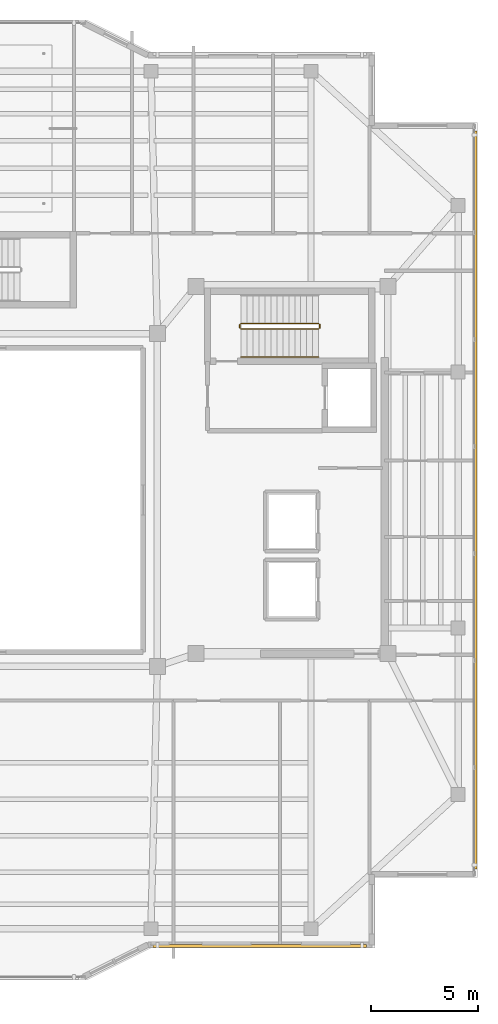
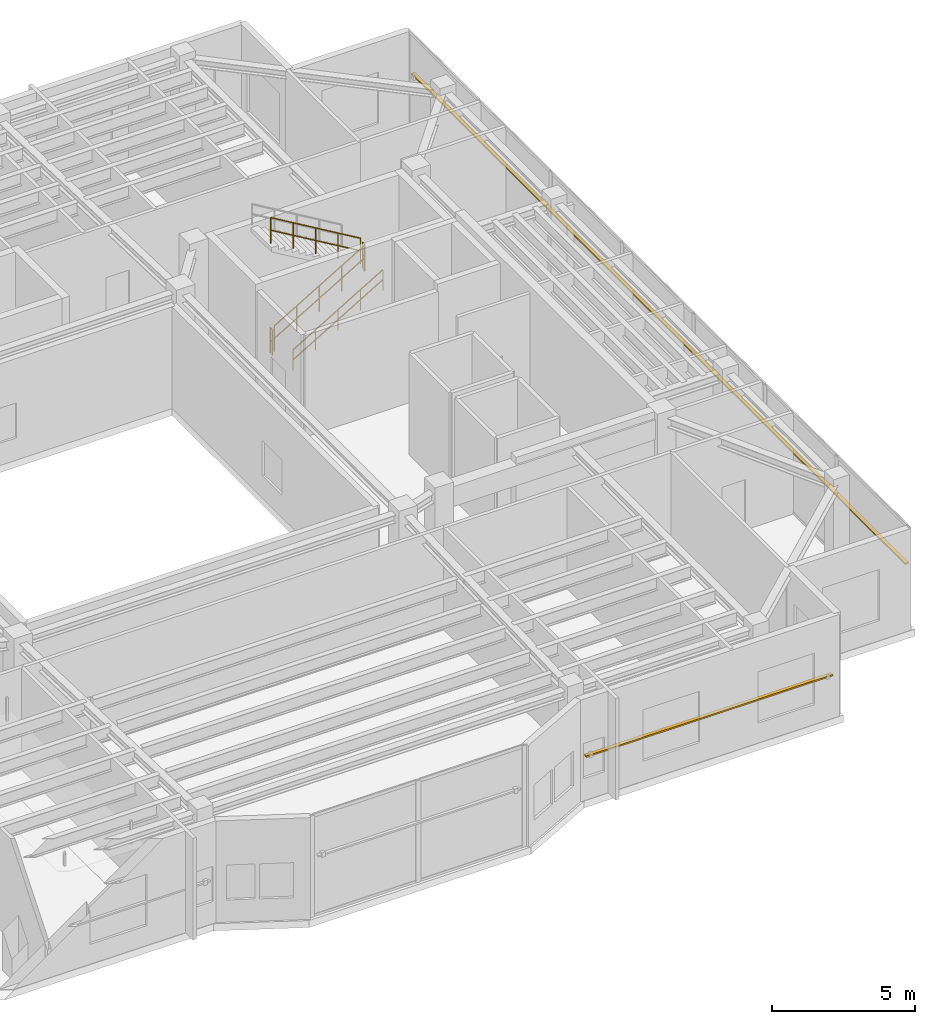
# One storey, part 24 of 25: 5 railings, 2 shading devices.
"""IFC4 building model written with IfcOpenShell, lengths in metres."""

from ifc_helpers import new_model, si_unit, direction, frame, origin, origin_2d, place, context, subcontext, project, spatial, rectangle, circle, extrude, material, material_profile, profile_set, type_object, element, save


model = new_model("IFC4")

# Units and contexts
model_context = context("Model", 3, precision=1e-05, world=origin(), true_north=direction((0.0, 1.0)))
body_context = subcontext(model_context, "Body", "Model", "MODEL_VIEW")
ifc_project = project(units=[si_unit("LENGTHUNIT", "METRE"), si_unit("AREAUNIT", "SQUARE_METRE"), si_unit("VOLUMEUNIT", "CUBIC_METRE"), si_unit("PLANEANGLEUNIT", "RADIAN"), si_unit("MASSUNIT", "GRAM", prefix="KILO")], contexts=[model_context])

# Site, building, storey
site_placement = place(None, origin())
site = spatial("IfcSite", under=ifc_project, at=site_placement, CompositionType="ELEMENT")
building_placement = place(site_placement, origin())
building = spatial("IfcBuilding", under=site, at=building_placement, Name="Tarnavaz Court Tower", CompositionType="ELEMENT")
storey_placement = place(building_placement, frame((0.0, 0.0, 271.64990234375)))
storey = spatial("IfcBuildingStorey", under=building, at=storey_placement, Name="L74", CompositionType="ELEMENT", Elevation=271.64990234375)

# Railings
ifc_material_1 = material(Name="Brushed Stainless Steel", Category="steel")
railing_type_1 = type_object("IfcRailingType", Name="RL-HANDRAIL-900", PredefinedType="HANDRAIL", material=ifc_material_1)
railing_1_placement = place(storey_placement, frame((11.719970703125, 6.699951171875, 0.166259765625)))
element("IfcRailing", 1, at=railing_1_placement, inside=storey, type_object=railing_type_1, Name="L74 ST-E1 stair handrail 1", PredefinedType="HANDRAIL", context=body_context, shape_type="SweptSolid", body=[
    extrude(circle(Radius=0.02392578125, at=origin_2d()), frame((0.0, 0.0, 0.8759765625), z_axis=(0.860103130531, 0.0, 0.510120186672), x_axis=(0.0, 1.0, 0.0)), (0.0, 0.0, 1.0), 4.232177734375),
    extrude(circle(Radius=0.02392578125, at=origin_2d()), frame((0.0, 0.0, 0.449951171875), z_axis=(0.860103130531, 0.0, 0.510120186672), x_axis=(0.0, 1.0, 0.0)), (0.0, 0.0, 1.0), 4.232177734375),
    extrude(circle(Radius=0.02099609375, at=origin_2d()), origin(), (0.0, 0.0, 1.0), 0.851806640625),
    extrude(circle(Radius=0.02099609375, at=origin_2d()), frame((0.91015625, 0.0, 0.539794921875)), (0.0, 0.0, 1.0), 0.851806640625),
    extrude(circle(Radius=0.02099609375, at=origin_2d()), frame((1.820068359375, 0.0, 1.07958984375)), (0.0, 0.0, 1.0), 0.851806640625),
    extrude(circle(Radius=0.02099609375, at=origin_2d()), frame((2.72998046875, 0.0, 1.619140625)), (0.0, 0.0, 1.0), 0.851806640625),
    extrude(circle(Radius=0.02099609375, at=origin_2d()), frame((3.64013671875, 0.0, 2.158935546875)), (0.0, 0.0, 1.0), 0.851806640625),
])
ifc_material_2 = material(Name="Galvanized Painted Tubular Steel", Category="steel")
railing_type_2 = type_object("IfcRailingType", Name="RL-STGUARD-1120", PredefinedType="GUARDRAIL", material=ifc_material_2)
railing_2_placement = place(storey_placement, frame((11.719970703125, 8.02001953125, 0.166259765625)))
element("IfcRailing", 2, at=railing_2_placement, inside=storey, type_object=railing_type_2, Name="L74 ST-E1 stair guard 1", PredefinedType="GUARDRAIL", context=body_context, shape_type="SweptSolid", body=[
    extrude(circle(Radius=0.02392578125, at=origin_2d()), frame((0.0, 0.0, 1.09619140625), z_axis=(0.860103130531, 0.0, 0.510120186672), x_axis=(0.0, 1.0, 0.0)), (0.0, 0.0, 1.0), 4.232177734375),
    extrude(circle(Radius=0.02392578125, at=origin_2d()), frame((0.0, 0.0, 0.56005859375), z_axis=(0.860103130531, 0.0, 0.510120186672), x_axis=(0.0, 1.0, 0.0)), (0.0, 0.0, 1.0), 4.232177734375),
    extrude(circle(Radius=0.02099609375, at=origin_2d()), origin(), (0.0, 0.0, 1.0), 1.072021484375),
    extrude(circle(Radius=0.02099609375, at=origin_2d()), frame((0.91015625, 0.0, 0.539794921875)), (0.0, 0.0, 1.0), 1.072021484375),
    extrude(circle(Radius=0.02099609375, at=origin_2d()), frame((1.820068359375, 0.0, 1.07958984375)), (0.0, 0.0, 1.0), 1.072021484375),
    extrude(circle(Radius=0.02099609375, at=origin_2d()), frame((2.72998046875, 0.0, 1.619140625)), (0.0, 0.0, 1.0), 1.072021484375),
    extrude(circle(Radius=0.02099609375, at=origin_2d()), frame((3.64013671875, 0.0, 2.158935546875)), (0.0, 0.0, 1.0), 1.072021484375),
])
railing_3_placement = place(storey_placement, frame((15.409912109375, 8.070068359375, 2.3251953125)))
element("IfcRailing", 3, at=railing_3_placement, inside=storey, type_object=railing_type_2, Name="L74 ST-E1 stair guard 2", PredefinedType="GUARDRAIL", context=body_context, shape_type="SweptSolid", body=[
    extrude(circle(Radius=0.02392578125, at=origin_2d()), frame((0.0, 0.0, 1.09619140625), z_axis=(0.0, 1.0, 0.0), x_axis=(-1.0, 0.0, 0.0)), (0.0, 0.0, 1.0), 0.14990234375),
    extrude(circle(Radius=0.02392578125, at=origin_2d()), frame((0.0, 0.0, 0.56005859375), z_axis=(0.0, 1.0, 0.0), x_axis=(-1.0, 0.0, 0.0)), (0.0, 0.0, 1.0), 0.14990234375),
    extrude(circle(Radius=0.02099609375, at=origin_2d()), origin(), (0.0, 0.0, 1.0), 1.072021484375),
    extrude(circle(Radius=0.02099609375, at=origin_2d()), frame((0.0, 0.14990234375, 0.0)), (0.0, 0.0, 1.0), 1.072021484375),
])
railing_4_placement = place(storey_placement, frame((15.360107421875, 8.27001953125, 2.4912109375)))
element("IfcRailing", 4, at=railing_4_placement, inside=storey, type_object=railing_type_2, Name="L74 ST-E1 stair guard 3", PredefinedType="GUARDRAIL", context=body_context, shape_type="SweptSolid", body=[
    extrude(circle(Radius=0.02392578125, at=origin_2d()), frame((0.0, 0.0, 1.09619140625), z_axis=(-0.860103130531, 0.0, 0.510120186672), x_axis=(0.0, -1.0, 0.0)), (0.0, 0.0, 1.0), 4.232177734375),
    extrude(circle(Radius=0.02392578125, at=origin_2d()), frame((0.0, 0.0, 0.56005859375), z_axis=(-0.860103130531, 0.0, 0.510120186672), x_axis=(0.0, -1.0, 0.0)), (0.0, 0.0, 1.0), 4.232177734375),
    extrude(circle(Radius=0.02099609375, at=origin_2d()), origin(), (0.0, 0.0, 1.0), 1.072021484375),
    extrude(circle(Radius=0.02099609375, at=origin_2d()), frame((-0.91015625, 0.0, 0.539794921875)), (0.0, 0.0, 1.0), 1.072021484375),
    extrude(circle(Radius=0.02099609375, at=origin_2d()), frame((-1.820068359375, 0.0, 1.07958984375)), (0.0, 0.0, 1.0), 1.072021484375),
    extrude(circle(Radius=0.02099609375, at=origin_2d()), frame((-2.72998046875, 0.0, 1.619140625)), (0.0, 0.0, 1.0), 1.072021484375),
    extrude(circle(Radius=0.02099609375, at=origin_2d()), frame((-3.64013671875, 0.0, 2.158935546875)), (0.0, 0.0, 1.0), 1.072021484375),
])
railing_5_placement = place(storey_placement, frame((11.669921875, 8.070068359375, 0.0)))
element("IfcRailing", 5, at=railing_5_placement, inside=storey, type_object=railing_type_2, Name="L74 ST-E1 stair guard 4", PredefinedType="GUARDRAIL", context=body_context, shape_type="SweptSolid", body=[
    extrude(circle(Radius=0.02392578125, at=origin_2d()), frame((0.0, 0.0, 1.09619140625), z_axis=(0.0, 1.0, 0.0), x_axis=(-1.0, 0.0, 0.0)), (0.0, 0.0, 1.0), 0.14990234375),
    extrude(circle(Radius=0.02392578125, at=origin_2d()), frame((0.0, 0.0, 0.56005859375), z_axis=(0.0, 1.0, 0.0), x_axis=(-1.0, 0.0, 0.0)), (0.0, 0.0, 1.0), 0.14990234375),
    extrude(circle(Radius=0.02099609375, at=origin_2d()), origin(), (0.0, 0.0, 1.0), 1.072021484375),
    extrude(circle(Radius=0.02099609375, at=origin_2d()), frame((0.0, 0.14990234375, 0.0)), (0.0, 0.0, 1.0), 1.072021484375),
])

# Shading devices
ifc_material_3 = material(Name="Kiln-Fired Khorasan Terracotta Ceramic", Category="masonry")
ifc_material_profile = material_profile(ifc_material_3, rectangle(XDim=0.14990234375, YDim=0.06494140625, at=origin_2d()), Name="TC BAGUETTE 150X65")
ifc_profile_set = profile_set([ifc_material_profile], Name="Kiln-Fired Khorasan Terracotta Ceramic")
shading_device_type = type_object("IfcShadingDeviceType", Name="SD-BAG-150", PredefinedType="USERDEFINED", material=ifc_profile_set)
shading_device_1_placement = place(storey_placement, frame((22.7099609375, 17.300048828125, 2.60009765625), z_axis=(0.0, -1.0, 0.0), x_axis=(1.0, 0.0, 0.0)))
element("IfcShadingDevice", 6, at=shading_device_1_placement, inside=storey, type_object=shading_device_type, Name="L74 Terracotta Baguette Screen OBG12", ObjectType="BAGUETTE", PredefinedType="USERDEFINED", context=body_context, shape_type="SweptSolid", body=[
    extrude(rectangle(XDim=0.14990234375, YDim=0.06494140625, at=origin_2d()), origin(), (0.0, 0.0, 1.0), 34.60009765625),
])
shading_device_2_placement = place(storey_placement, frame((17.60009765625, -20.909912109375, 1.85009765625), z_axis=(-1.0, 0.0, 0.0), x_axis=(0.0, -1.0, 0.0)))
element("IfcShadingDevice", 7, at=shading_device_2_placement, inside=storey, type_object=shading_device_type, Name="L74 Terracotta Baguette Screen FBG15", ObjectType="BAGUETTE", PredefinedType="USERDEFINED", context=body_context, shape_type="SweptSolid", body=[
    extrude(rectangle(XDim=0.14990234375, YDim=0.06494140625, at=origin_2d()), origin(), (0.0, 0.0, 1.0), 10.0),
])

save(model, "model.ifc")
